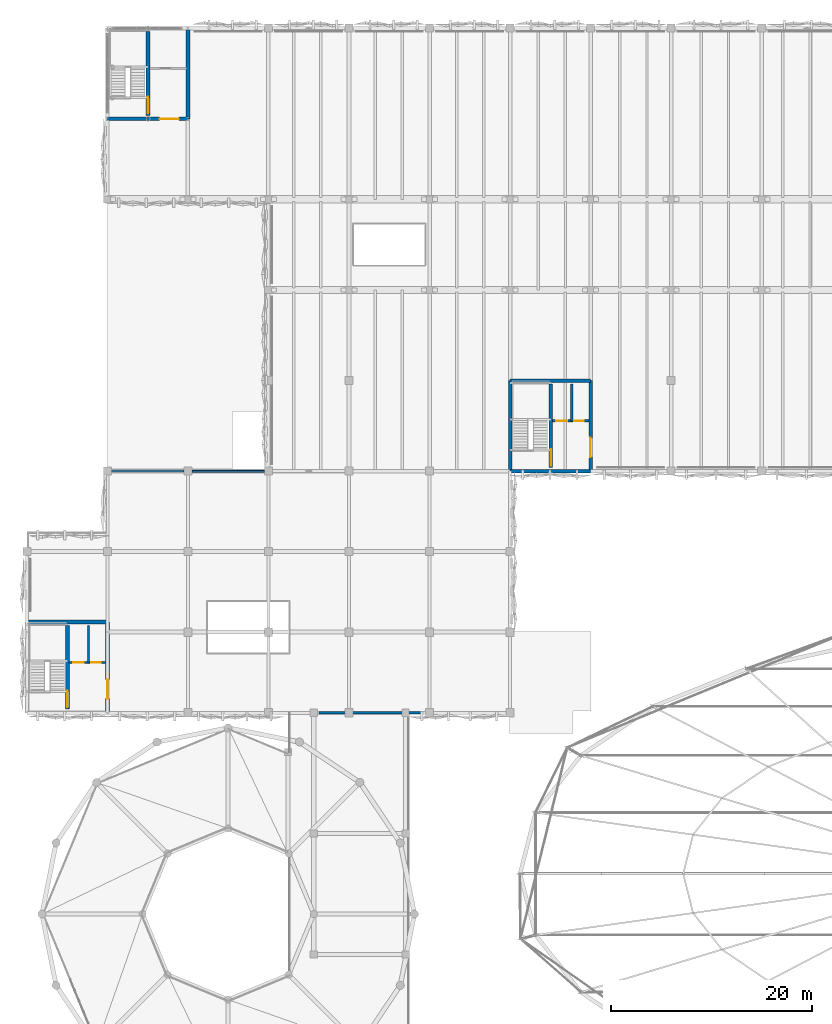
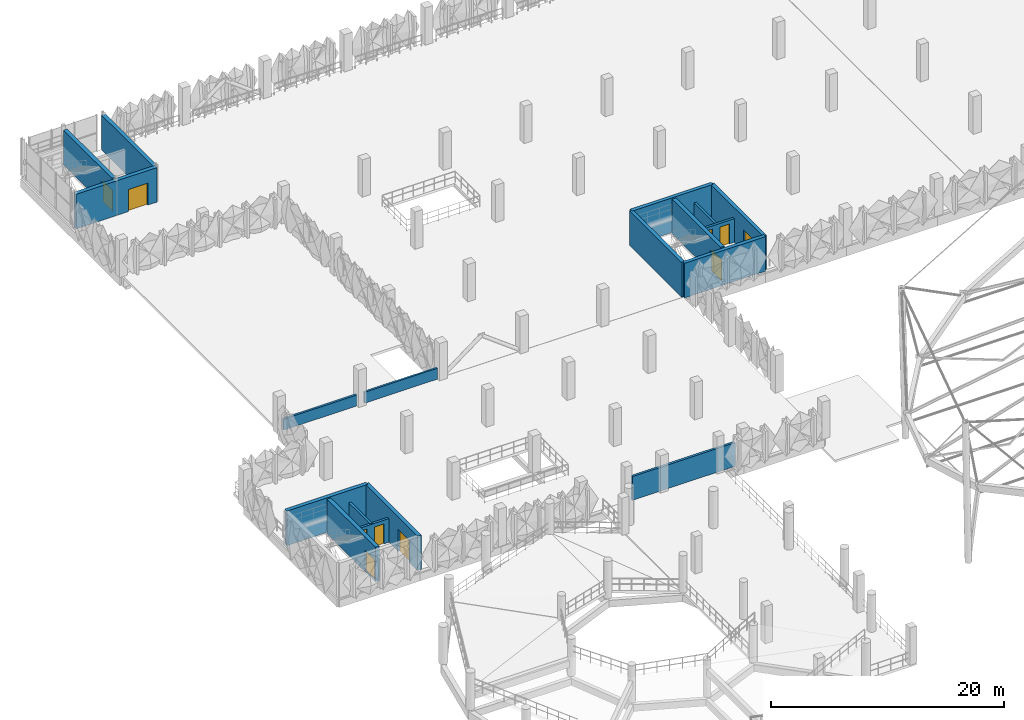
# One storey, part 50 of 96: 18 walls, 10 doors, 10 openings.
"""IFC4 building model written with IfcOpenShell, lengths in metres."""

from ifc_helpers import new_model, si_unit, derived_unit, direction, frame, frame_2d, origin, place, context, subcontext, project, spatial, rectangle, extrude, material, layer, layer_set, type_object, element, fill, save


model = new_model("IFC4")

# Units and contexts
model_context = context("Model", 3, precision=1e-05, world=origin(), true_north=direction((0.0, 1.0)))
body_context = subcontext(model_context, "Body", "Model", "MODEL_VIEW")
ifc_project = project(units=[si_unit("LENGTHUNIT", "METRE"), si_unit("AREAUNIT", "SQUARE_METRE"), si_unit("VOLUMEUNIT", "CUBIC_METRE"), si_unit("PLANEANGLEUNIT", "RADIAN"), si_unit("MASSUNIT", "GRAM", prefix="KILO"), si_unit("THERMODYNAMICTEMPERATUREUNIT", "KELVIN"), derived_unit("THERMALTRANSMITTANCEUNIT", [(si_unit("POWERUNIT", "WATT"), 1), (si_unit("AREAUNIT", "SQUARE_METRE"), -1), (si_unit("THERMODYNAMICTEMPERATUREUNIT", "KELVIN"), -1)])], contexts=[model_context])

# Site, building, storey
site_placement = place(None, origin())
site = spatial("IfcSite", under=ifc_project, at=site_placement, CompositionType="ELEMENT")
building_placement = place(site_placement, origin())
building = spatial("IfcBuilding", under=site, at=building_placement, Name="Haiyu Intermodal Mobility Hub", CompositionType="ELEMENT")
storey_placement = place(building_placement, frame((0.0, 0.0, 9.5)))
storey = spatial("IfcBuildingStorey", under=building, at=storey_placement, Name="L02", CompositionType="ELEMENT", Elevation=9.5)

# Wall
ifc_material_1 = material(Name="Autoclaved aerated concrete block A5.0", Category="concrete")
ifc_layer_1 = layer(ifc_material_1, 0.22998046875)
ifc_layer_set_1 = layer_set([ifc_layer_1], Name="Autoclaved aerated concrete block A5.0")
wall_type_1 = type_object("IfcWallType", Name="WAL-WI01", PredefinedType="PARTITIONING", material=ifc_layer_set_1)
wall_1_placement = place(storey_placement, frame((68.1298828125, 109.0, 0.0), z_axis=(0.0, 0.0, 1.0), x_axis=(0.0, 1.0, 0.0)))
element("IfcWall", 1, at=wall_1_placement, inside=storey, type_object=wall_type_1, Name="WAL-CORE-C5-LSH-L02", PredefinedType="PARTITIONING", context=body_context, shape_type="SweptSolid", body=[
    extrude(rectangle(XDim=3.64990234375, YDim=0.22998046875, at=frame_2d((1.824951171875, 0.0))), origin(), (0.0, 0.0, 1.0), 2.47998046875),
])

# Wall, openings, doors
wall_2_placement = place(storey_placement, frame((66.2099609375, 109.0, 0.0), z_axis=(0.0, 0.0, 1.0), x_axis=(1.0, 0.0, 0.0)))
wall_2 = element("IfcWall", 2, at=wall_2_placement, inside=storey, type_object=wall_type_1, Name="WAL-CORE-C5-LFT-L02", PredefinedType="PARTITIONING", context=body_context, shape_type="SweptSolid", body=[
    extrude(rectangle(XDim=3.630126953125, YDim=0.22998046875, at=frame_2d((1.81494140625, 0.0))), origin(), (0.0, 0.0, 1.0), 2.47998046875),
])
opening_1_placement = place(wall_2_placement, frame((0.3798828125, 0.0, 0.0)))
opening_1 = element("IfcOpeningElement", 3, at=opening_1_placement, cuts=wall_2, Name="Opening LD01", PredefinedType="OPENING", context=body_context, shape_type="SweptSolid", body=[
    extrude(rectangle(XDim=1.10009765625, YDim=2.14990234375, at=frame_2d((0.550048828125, 1.074951171875))), frame((0.0, 0.125, 0.0), z_axis=(0.0, -1.0, 0.0), x_axis=(1.0, 0.0, 0.0)), (0.0, 0.0, 1.0), 0.25),
])
opening_2_placement = place(wall_2_placement, frame((2.179931640625, 0.0, 0.0)))
opening_2 = element("IfcOpeningElement", 4, at=opening_2_placement, cuts=wall_2, Name="Opening DI07", PredefinedType="OPENING", context=body_context, shape_type="SweptSolid", body=[
    extrude(rectangle(XDim=0.949951171875, YDim=2.10009765625, at=frame_2d((0.47509765625, 1.050048828125))), frame((0.0, 0.125, 0.0), z_axis=(0.0, -1.0, 0.0), x_axis=(1.0, 0.0, 0.0)), (0.0, 0.0, 1.0), 0.25),
])
ifc_material_2 = material(Name="Steel Q355C", Category="steel")
door_type_1 = type_object("IfcDoorType", Name="DR-DI07", OperationType="NOTDEFINED", PredefinedType="DOOR", material=ifc_material_2)
door_1_placement = place(opening_2_placement, origin())
door_1 = element("IfcDoor", 5, at=door_1_placement, inside=storey, type_object=door_type_1, Name="Core C5 Accessible WC Door L02", OperationType="SINGLE_SWING_RIGHT", OverallHeight=2.10009765625, OverallWidth=0.949951171875, PredefinedType="DOOR", context=body_context, shape_type="SweptSolid", body=[
    extrude(rectangle(XDim=0.949951171875, YDim=2.10009765625, at=frame_2d((0.47509765625, 1.050048828125))), frame((0.0, 0.02490234375, 0.0), z_axis=(0.0, -1.0, 0.0), x_axis=(1.0, 0.0, 0.0)), (0.0, 0.0, 1.0), 0.050048828125),
])
fill(opening_2, door_1)
door_type_2 = type_object("IfcDoorType", Name="DR-LD01", OperationType="DOUBLE_DOOR_SLIDING", PredefinedType="DOOR", material=ifc_material_2)
door_2_placement = place(opening_1_placement, origin())
door_2 = element("IfcDoor", 6, at=door_2_placement, inside=storey, type_object=door_type_2, Name="Lift FL-02 Sliding Landing Door L02", OperationType="SLIDING_TO_LEFT", OverallHeight=2.14990234375, OverallWidth=1.10009765625, PredefinedType="DOOR", context=body_context, shape_type="SweptSolid", body=[
    extrude(rectangle(XDim=1.10009765625, YDim=2.14990234375, at=frame_2d((0.550048828125, 1.074951171875))), frame((0.0, 0.02490234375, 0.0), z_axis=(0.0, -1.0, 0.0), x_axis=(1.0, 0.0, 0.0)), (0.0, 0.0, 1.0), 0.050048828125),
])
fill(opening_1, door_2)

# Wall
wall_3_placement = place(storey_placement, frame((20.1298828125, 85.0, 0.0), z_axis=(0.0, 0.0, 1.0), x_axis=(0.0, 1.0, 0.0)))
element("IfcWall", 7, at=wall_3_placement, inside=storey, type_object=wall_type_1, Name="WAL-CORE-C7-LSH-L02", PredefinedType="PARTITIONING", context=body_context, shape_type="SweptSolid", body=[
    extrude(rectangle(XDim=3.64990234375, YDim=0.22998046875, at=frame_2d((1.824951171875, 0.0))), origin(), (0.0, 0.0, 1.0), 2.47998046875),
])

# Wall, openings, doors
wall_4_placement = place(storey_placement, frame((18.2099609375, 85.0, 0.0), z_axis=(0.0, 0.0, 1.0), x_axis=(1.0, 0.0, 0.0)))
wall_4 = element("IfcWall", 8, at=wall_4_placement, inside=storey, type_object=wall_type_1, Name="WAL-CORE-C7-LFT-L02", PredefinedType="PARTITIONING", context=body_context, shape_type="SweptSolid", body=[
    extrude(rectangle(XDim=3.630126953125, YDim=0.22998046875, at=frame_2d((1.81494140625, 0.0))), origin(), (0.0, 0.0, 1.0), 2.47998046875),
])
opening_3_placement = place(wall_4_placement, frame((0.3798828125, 0.0, 0.0)))
opening_3 = element("IfcOpeningElement", 9, at=opening_3_placement, cuts=wall_4, Name="Opening LD02", PredefinedType="OPENING", context=body_context, shape_type="SweptSolid", body=[
    extrude(rectangle(XDim=1.050048828125, YDim=2.14990234375, at=frame_2d((0.52490234375, 1.074951171875))), frame((0.0, 0.125, 0.0), z_axis=(0.0, -1.0, 0.0), x_axis=(1.0, 0.0, 0.0)), (0.0, 0.0, 1.0), 0.25),
])
opening_4_placement = place(wall_4_placement, frame((2.179931640625, 0.0, 0.0)))
opening_4 = element("IfcOpeningElement", 10, at=opening_4_placement, cuts=wall_4, Name="Opening DI07", PredefinedType="OPENING", context=body_context, shape_type="SweptSolid", body=[
    extrude(rectangle(XDim=0.949951171875, YDim=2.10009765625, at=frame_2d((0.47509765625, 1.050048828125))), frame((0.0, 0.125, 0.0), z_axis=(0.0, -1.0, 0.0), x_axis=(1.0, 0.0, 0.0)), (0.0, 0.0, 1.0), 0.25),
])
door_3_placement = place(opening_4_placement, origin())
door_3 = element("IfcDoor", 11, at=door_3_placement, inside=storey, type_object=door_type_1, Name="Core C7 Accessible WC Door L02", OperationType="SINGLE_SWING_RIGHT", OverallHeight=2.10009765625, OverallWidth=0.949951171875, PredefinedType="DOOR", context=body_context, shape_type="SweptSolid", body=[
    extrude(rectangle(XDim=0.949951171875, YDim=2.10009765625, at=frame_2d((0.47509765625, 1.050048828125))), frame((0.0, 0.02490234375, 0.0), z_axis=(0.0, -1.0, 0.0), x_axis=(1.0, 0.0, 0.0)), (0.0, 0.0, 1.0), 0.050048828125),
])
fill(opening_4, door_3)
door_type_3 = type_object("IfcDoorType", Name="DR-LD02", OperationType="DOUBLE_DOOR_SLIDING", PredefinedType="DOOR", material=ifc_material_2)
door_4_placement = place(opening_3_placement, origin())
door_4 = element("IfcDoor", 12, at=door_4_placement, inside=storey, type_object=door_type_3, Name="Lift PL-02 Sliding Landing Door L02", OperationType="SLIDING_TO_LEFT", OverallHeight=2.14990234375, OverallWidth=1.050048828125, PredefinedType="DOOR", context=body_context, shape_type="SweptSolid", body=[
    extrude(rectangle(XDim=1.050048828125, YDim=2.14990234375, at=frame_2d((0.52490234375, 1.074951171875))), frame((0.0, 0.02490234375, 0.0), z_axis=(0.0, -1.0, 0.0), x_axis=(1.0, 0.0, 0.0)), (0.0, 0.0, 1.0), 0.050048828125),
])
fill(opening_3, door_4)

# Walls
wall_5_placement = place(storey_placement, frame((43.0, 80.0, 0.0), z_axis=(0.0, 0.0, 1.0), x_axis=(1.0, 0.0, 0.0)))
element("IfcWall", 13, at=wall_5_placement, inside=storey, type_object=wall_type_1, Name="WAL-INT-0019", PredefinedType="PARTITIONING", context=body_context, shape_type="SweptSolid", body=[
    extrude(rectangle(XDim=10.199951171875, YDim=0.22998046875, at=frame_2d((5.10009765625, 0.0))), origin(), (0.0, 0.0, 1.0), 2.47998046875),
])
ifc_material_3 = material(Name="Concrete C40", Category="concrete")
ifc_layer_2 = layer(ifc_material_3, 0.2099609375)
ifc_layer_set_2 = layer_set([ifc_layer_2], Name="Concrete C40")
wall_type_2 = type_object("IfcWallType", Name="WAL-WP01", PredefinedType="PARAPET", material=ifc_layer_set_2)
wall_6_placement = place(storey_placement, frame((22.375, 104.0, 0.0), z_axis=(0.0, 0.0, 1.0), x_axis=(1.0, 0.0, 0.0)))
element("IfcWall", 14, at=wall_6_placement, inside=storey, type_object=wall_type_2, Name="WAL-PAR-CAR-01", PredefinedType="PARAPET", context=body_context, shape_type="SweptSolid", body=[
    extrude(rectangle(XDim=7.25, YDim=0.2099609375, at=frame_2d((3.625, 0.0))), origin(), (0.0, 0.0, 1.0), 1.14990234375),
])
ifc_layer_3 = layer(ifc_material_3, 0.18994140625)
ifc_layer_set_3 = layer_set([ifc_layer_3], Name="Concrete C40")
wall_type_3 = type_object("IfcWallType", Name="WAL-WP03", PredefinedType="PARAPET", material=ifc_layer_set_3)
wall_7_placement = place(storey_placement, frame((30.375, 104.0, 0.0), z_axis=(0.0, 0.0, 1.0), x_axis=(1.0, 0.0, 0.0)))
element("IfcWall", 15, at=wall_7_placement, inside=storey, type_object=wall_type_3, Name="WAL-PAR-CAR-02", PredefinedType="PARAPET", context=body_context, shape_type="SweptSolid", body=[
    extrude(rectangle(XDim=7.239990234375, YDim=0.18994140625, at=frame_2d((3.6201171875, 0.0))), origin(), (0.0, 0.0, 1.0), 1.14990234375),
])
ifc_layer_4 = layer(ifc_material_3, 0.35009765625)
ifc_layer_set_4 = layer_set([ifc_layer_4], Name="Concrete C40")
wall_type_4 = type_object("IfcWallType", Name="WAL-WS02", PredefinedType="SHEAR", material=ifc_layer_set_4)
wall_8_placement = place(storey_placement, frame((62.0, 104.0, 0.0), z_axis=(0.0, 0.0, 1.0), x_axis=(1.0, 0.0, 0.0)))
element("IfcWall", 16, at=wall_8_placement, inside=storey, type_object=wall_type_4, Name="WAL-CORE-C5-S-L02", PredefinedType="SHEAR", context=body_context, shape_type="SweptSolid", body=[
    extrude(rectangle(XDim=8.0, YDim=0.35009765625, at=frame_2d((4.0, 0.0))), origin(), (0.0, 0.0, 1.0), 3.6201171875),
])

# Wall, opening, door
wall_9_placement = place(storey_placement, frame((70.0, 104.0, 0.0), z_axis=(0.0, 0.0, 1.0), x_axis=(0.0, 1.0, 0.0)))
wall_9 = element("IfcWall", 17, at=wall_9_placement, inside=storey, type_object=wall_type_4, Name="WAL-CORE-C5-E-L02", PredefinedType="SHEAR", context=body_context, shape_type="SweptSolid", body=[
    extrude(rectangle(XDim=9.0, YDim=0.35009765625, at=frame_2d((4.5, 0.0))), origin(), (0.0, 0.0, 1.0), 3.6201171875),
])
opening_5_placement = place(wall_9_placement, frame((1.39990234375, 0.0, 0.0)))
opening_5 = element("IfcOpeningElement", 18, at=opening_5_placement, cuts=wall_9, Name="Opening DI01", PredefinedType="OPENING", context=body_context, shape_type="SweptSolid", body=[
    extrude(rectangle(XDim=1.89990234375, YDim=2.300048828125, at=frame_2d((0.949951171875, 1.14990234375))), frame((0.0, 0.18505859375, 0.0), z_axis=(0.0, -1.0, 0.0), x_axis=(1.0, 0.0, 0.0)), (0.0, 0.0, 1.0), 0.3701171875),
])
door_type_4 = type_object("IfcDoorType", Name="DR-DI01", OperationType="DOUBLE_DOOR_SINGLE_SWING", PredefinedType="DOOR", material=ifc_material_2)
door_5_placement = place(opening_5_placement, origin())
door_5 = element("IfcDoor", 19, at=door_5_placement, inside=storey, type_object=door_type_4, Name="Core C5 Lobby Fire Door L02", OperationType="SINGLE_SWING_LEFT", OverallHeight=2.300048828125, OverallWidth=1.89990234375, PredefinedType="DOOR", context=body_context, shape_type="SweptSolid", body=[
    extrude(rectangle(XDim=1.89990234375, YDim=2.300048828125, at=frame_2d((0.949951171875, 1.14990234375))), frame((0.0, 0.02490234375, 0.0), z_axis=(0.0, -1.0, 0.0), x_axis=(1.0, 0.0, 0.0)), (0.0, 0.0, 1.0), 0.050048828125),
])
fill(opening_5, door_5)

# Walls
wall_10_placement = place(storey_placement, frame((70.0, 113.0, 0.0), z_axis=(0.0, 0.0, 1.0), x_axis=(-1.0, 0.0, 0.0)))
element("IfcWall", 20, at=wall_10_placement, inside=storey, type_object=wall_type_4, Name="WAL-CORE-C5-N-L02", PredefinedType="SHEAR", context=body_context, shape_type="SweptSolid", body=[
    extrude(rectangle(XDim=8.0, YDim=0.35009765625, at=frame_2d((4.0, 0.0))), origin(), (0.0, 0.0, 1.0), 3.6201171875),
])
wall_11_placement = place(storey_placement, frame((62.0, 113.0, 0.0), z_axis=(0.0, 0.0, 1.0), x_axis=(0.0, -1.0, 0.0)))
element("IfcWall", 21, at=wall_11_placement, inside=storey, type_object=wall_type_4, Name="WAL-CORE-C5-W-L02", PredefinedType="SHEAR", context=body_context, shape_type="SweptSolid", body=[
    extrude(rectangle(XDim=9.0, YDim=0.35009765625, at=frame_2d((4.5, 0.0))), origin(), (0.0, 0.0, 1.0), 3.6201171875),
])

# Wall, opening, door
ifc_layer_5 = layer(ifc_material_3, 0.3798828125)
ifc_layer_set_5 = layer_set([ifc_layer_5], Name="Concrete C40")
wall_type_5 = type_object("IfcWallType", Name="WAL-WS03", PredefinedType="SHEAR", material=ifc_layer_set_5)
wall_12_placement = place(storey_placement, frame((22.0, 139.0, 0.0), z_axis=(0.0, 0.0, 1.0), x_axis=(1.0, 0.0, 0.0)))
wall_12 = element("IfcWall", 22, at=wall_12_placement, inside=storey, type_object=wall_type_5, Name="WAL-CORE-C3-S-L02", PredefinedType="SHEAR", context=body_context, shape_type="SweptSolid", body=[
    extrude(rectangle(XDim=8.0, YDim=0.3798828125, at=frame_2d((4.0, 0.0))), origin(), (0.0, 0.0, 1.0), 3.6201171875),
])
opening_6_placement = place(wall_12_placement, frame((5.199951171875, 0.0, 0.0)))
opening_6 = element("IfcOpeningElement", 23, at=opening_6_placement, cuts=wall_12, Name="Opening DI01", PredefinedType="OPENING", context=body_context, shape_type="SweptSolid", body=[
    extrude(rectangle(XDim=1.89990234375, YDim=2.300048828125, at=frame_2d((0.949951171875, 1.14990234375))), frame((0.0, 0.199951171875, 0.0), z_axis=(0.0, -1.0, 0.0), x_axis=(1.0, 0.0, 0.0)), (0.0, 0.0, 1.0), 0.39990234375),
])
door_6_placement = place(opening_6_placement, origin())
door_6 = element("IfcDoor", 24, at=door_6_placement, inside=storey, type_object=door_type_4, Name="Core C3 Lobby Fire Door L02", OperationType="SINGLE_SWING_LEFT", OverallHeight=2.300048828125, OverallWidth=1.89990234375, PredefinedType="DOOR", context=body_context, shape_type="SweptSolid", body=[
    extrude(rectangle(XDim=1.89990234375, YDim=2.300048828125, at=frame_2d((0.949951171875, 1.14990234375))), frame((0.0, 0.02490234375, 0.0), z_axis=(0.0, -1.0, 0.0), x_axis=(1.0, 0.0, 0.0)), (0.0, 0.0, 1.0), 0.050048828125),
])
fill(opening_6, door_6)

# Wall
wall_13_placement = place(storey_placement, frame((30.0, 139.0, 0.0), z_axis=(0.0, 0.0, 1.0), x_axis=(0.0, 1.0, 0.0)))
element("IfcWall", 25, at=wall_13_placement, inside=storey, type_object=wall_type_5, Name="WAL-CORE-C3-E-L02", PredefinedType="SHEAR", context=body_context, shape_type="SweptSolid", body=[
    extrude(rectangle(XDim=9.0, YDim=0.3798828125, at=frame_2d((4.5, 0.0))), origin(), (0.0, 0.0, 1.0), 3.6201171875),
])

# Wall, opening, door
wall_14_placement = place(storey_placement, frame((26.050048828125, 139.35009765625, 0.0), z_axis=(0.0, 0.0, 1.0), x_axis=(0.0, 1.0, 0.0)))
wall_14 = element("IfcWall", 26, at=wall_14_placement, inside=storey, type_object=wall_type_5, Name="WAL-CORE-C3-MID-L02", PredefinedType="SHEAR", context=body_context, shape_type="SweptSolid", body=[
    extrude(rectangle(XDim=8.2998046875, YDim=0.3798828125, at=frame_2d((4.14990234375, 0.0))), origin(), (0.0, 0.0, 1.0), 3.6201171875),
])
opening_7_placement = place(wall_14_placement, frame((0.179931640625, 0.0, 0.0)))
opening_7 = element("IfcOpeningElement", 27, at=opening_7_placement, cuts=wall_14, Name="Opening DI02", PredefinedType="OPENING", context=body_context, shape_type="SweptSolid", body=[
    extrude(rectangle(XDim=1.64990234375, YDim=2.199951171875, at=frame_2d((0.824951171875, 1.10009765625))), frame((0.0, 0.199951171875, 0.0), z_axis=(0.0, -1.0, 0.0), x_axis=(1.0, 0.0, 0.0)), (0.0, 0.0, 1.0), 0.39990234375),
])
door_type_5 = type_object("IfcDoorType", Name="DR-DI02", OperationType="DOUBLE_DOOR_SINGLE_SWING", PredefinedType="DOOR", material=ifc_material_2)
door_7_placement = place(opening_7_placement, origin())
door_7 = element("IfcDoor", 28, at=door_7_placement, inside=storey, type_object=door_type_5, Name="Stair ST02 Fire Door L02", OperationType="SINGLE_SWING_LEFT", OverallHeight=2.199951171875, OverallWidth=1.64990234375, PredefinedType="DOOR", context=body_context, shape_type="SweptSolid", body=[
    extrude(rectangle(XDim=1.64990234375, YDim=2.199951171875, at=frame_2d((0.824951171875, 1.10009765625))), frame((0.0, 0.02490234375, 0.0), z_axis=(0.0, -1.0, 0.0), x_axis=(1.0, 0.0, 0.0)), (0.0, 0.0, 1.0), 0.050048828125),
])
fill(opening_7, door_7)

wall_15_placement = place(storey_placement, frame((66.050048828125, 104.35009765625, 0.0), z_axis=(0.0, 0.0, 1.0), x_axis=(0.0, 1.0, 0.0)))
wall_15 = element("IfcWall", 29, at=wall_15_placement, inside=storey, type_object=wall_type_5, Name="WAL-CORE-C5-MID-L02", PredefinedType="SHEAR", context=body_context, shape_type="SweptSolid", body=[
    extrude(rectangle(XDim=8.2998046875, YDim=0.3798828125, at=frame_2d((4.14990234375, 0.0))), origin(), (0.0, 0.0, 1.0), 3.6201171875),
])
opening_8_placement = place(wall_15_placement, frame((0.179931640625, 0.0, 0.0)))
opening_8 = element("IfcOpeningElement", 30, at=opening_8_placement, cuts=wall_15, Name="Opening DI02", PredefinedType="OPENING", context=body_context, shape_type="SweptSolid", body=[
    extrude(rectangle(XDim=1.64990234375, YDim=2.199951171875, at=frame_2d((0.824951171875, 1.10009765625))), frame((0.0, 0.199951171875, 0.0), z_axis=(0.0, -1.0, 0.0), x_axis=(1.0, 0.0, 0.0)), (0.0, 0.0, 1.0), 0.39990234375),
])
door_8_placement = place(opening_8_placement, origin())
door_8 = element("IfcDoor", 31, at=door_8_placement, inside=storey, type_object=door_type_5, Name="Stair ST01 Fire Door L02", OperationType="SINGLE_SWING_LEFT", OverallHeight=2.199951171875, OverallWidth=1.64990234375, PredefinedType="DOOR", context=body_context, shape_type="SweptSolid", body=[
    extrude(rectangle(XDim=1.64990234375, YDim=2.199951171875, at=frame_2d((0.824951171875, 1.10009765625))), frame((0.0, 0.02490234375, 0.0), z_axis=(0.0, -1.0, 0.0), x_axis=(1.0, 0.0, 0.0)), (0.0, 0.0, 1.0), 0.050048828125),
])
fill(opening_8, door_8)

wall_16_placement = place(storey_placement, frame((22.0, 80.0, 0.0), z_axis=(0.0, 0.0, 1.0), x_axis=(0.0, 1.0, 0.0)))
wall_16 = element("IfcWall", 32, at=wall_16_placement, inside=storey, type_object=wall_type_5, Name="WAL-CORE-C7-E-L02", PredefinedType="SHEAR", context=body_context, shape_type="SweptSolid", body=[
    extrude(rectangle(XDim=9.0, YDim=0.3798828125, at=frame_2d((4.5, 0.0))), origin(), (0.0, 0.0, 1.0), 3.6201171875),
])
opening_9_placement = place(wall_16_placement, frame((1.39990234375, 0.0, 0.0)))
opening_9 = element("IfcOpeningElement", 33, at=opening_9_placement, cuts=wall_16, Name="Opening DI01", PredefinedType="OPENING", context=body_context, shape_type="SweptSolid", body=[
    extrude(rectangle(XDim=1.89990234375, YDim=2.300048828125, at=frame_2d((0.949951171875, 1.14990234375))), frame((0.0, 0.199951171875, 0.0), z_axis=(0.0, -1.0, 0.0), x_axis=(1.0, 0.0, 0.0)), (0.0, 0.0, 1.0), 0.39990234375),
])
door_9_placement = place(opening_9_placement, origin())
door_9 = element("IfcDoor", 34, at=door_9_placement, inside=storey, type_object=door_type_4, Name="Core C7 Lobby Fire Door L02", OperationType="SINGLE_SWING_LEFT", OverallHeight=2.300048828125, OverallWidth=1.89990234375, PredefinedType="DOOR", context=body_context, shape_type="SweptSolid", body=[
    extrude(rectangle(XDim=1.89990234375, YDim=2.300048828125, at=frame_2d((0.949951171875, 1.14990234375))), frame((0.0, 0.02490234375, 0.0), z_axis=(0.0, -1.0, 0.0), x_axis=(1.0, 0.0, 0.0)), (0.0, 0.0, 1.0), 0.050048828125),
])
fill(opening_9, door_9)

# Wall
wall_17_placement = place(storey_placement, frame((22.0, 89.0, 0.0), z_axis=(0.0, 0.0, 1.0), x_axis=(-1.0, 0.0, 0.0)))
element("IfcWall", 35, at=wall_17_placement, inside=storey, type_object=wall_type_5, Name="WAL-CORE-C7-N-L02", PredefinedType="SHEAR", context=body_context, shape_type="SweptSolid", body=[
    extrude(rectangle(XDim=8.0, YDim=0.3798828125, at=frame_2d((4.0, 0.0))), origin(), (0.0, 0.0, 1.0), 3.6201171875),
])

# Wall, opening, door
wall_18_placement = place(storey_placement, frame((18.050048828125, 80.35009765625, 0.0), z_axis=(0.0, 0.0, 1.0), x_axis=(0.0, 1.0, 0.0)))
wall_18 = element("IfcWall", 36, at=wall_18_placement, inside=storey, type_object=wall_type_5, Name="WAL-CORE-C7-MID-L02", PredefinedType="SHEAR", context=body_context, shape_type="SweptSolid", body=[
    extrude(rectangle(XDim=8.2998046875, YDim=0.3798828125, at=frame_2d((4.14990234375, 0.0))), origin(), (0.0, 0.0, 1.0), 3.6201171875),
])
opening_10_placement = place(wall_18_placement, frame((0.179931640625, 0.0, 0.0)))
opening_10 = element("IfcOpeningElement", 37, at=opening_10_placement, cuts=wall_18, Name="Opening DI02", PredefinedType="OPENING", context=body_context, shape_type="SweptSolid", body=[
    extrude(rectangle(XDim=1.64990234375, YDim=2.199951171875, at=frame_2d((0.824951171875, 1.10009765625))), frame((0.0, 0.199951171875, 0.0), z_axis=(0.0, -1.0, 0.0), x_axis=(1.0, 0.0, 0.0)), (0.0, 0.0, 1.0), 0.39990234375),
])
door_10_placement = place(opening_10_placement, origin())
door_10 = element("IfcDoor", 38, at=door_10_placement, inside=storey, type_object=door_type_5, Name="Stair ST02 Fire Door L02", OperationType="SINGLE_SWING_LEFT", OverallHeight=2.199951171875, OverallWidth=1.64990234375, PredefinedType="DOOR", context=body_context, shape_type="SweptSolid", body=[
    extrude(rectangle(XDim=1.64990234375, YDim=2.199951171875, at=frame_2d((0.824951171875, 1.10009765625))), frame((0.0, 0.02490234375, 0.0), z_axis=(0.0, -1.0, 0.0), x_axis=(1.0, 0.0, 0.0)), (0.0, 0.0, 1.0), 0.050048828125),
])
fill(opening_10, door_10)

save(model, "model.ifc")
